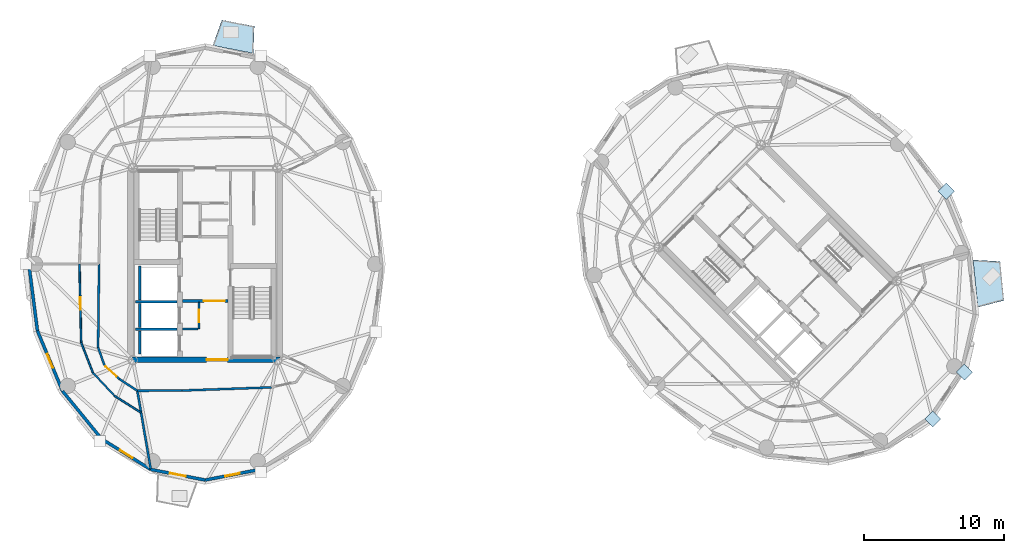
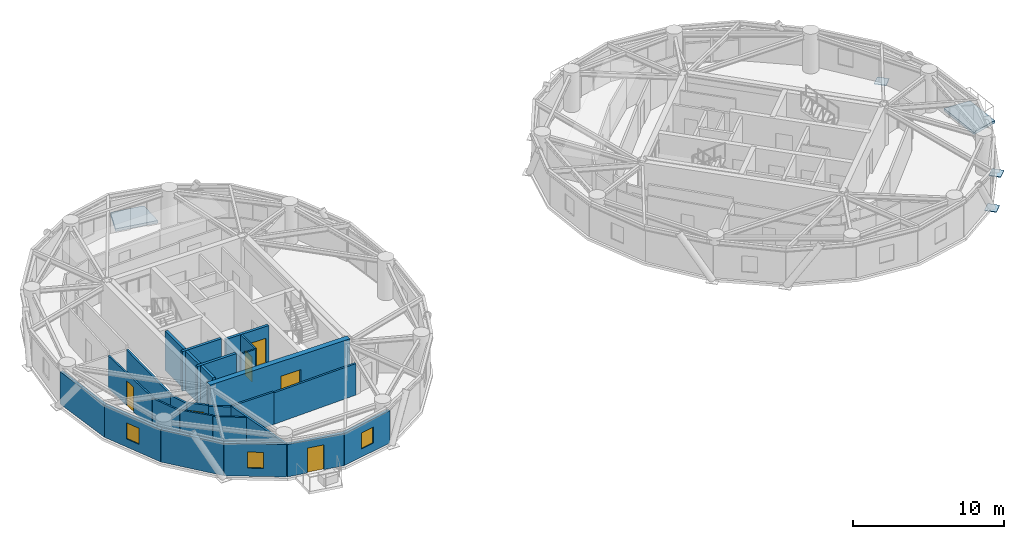
# One storey, part 7 of 16: 26 walls, 6 doors, 3 plates, 3 windows, 2 slabs, 9 openings.
"""IFC4 building model written with IfcOpenShell, lengths in metres."""

from ifc_helpers import new_model, si_unit, direction, frame, frame_2d, origin, origin_2d, place, context, subcontext, project, spatial, polyline, rectangle, outline, extrude, source, transform, mapped, material, layer, layer_set, type_object, element, fill, save


model = new_model("IFC4")

# Units and contexts
model_context = context("Model", 3, precision=1e-05, world=origin(), true_north=direction((0.0, 1.0)))
body_context = subcontext(model_context, "Body", "Model", "MODEL_VIEW")
ifc_project = project(units=[si_unit("LENGTHUNIT", "METRE"), si_unit("AREAUNIT", "SQUARE_METRE"), si_unit("VOLUMEUNIT", "CUBIC_METRE"), si_unit("PLANEANGLEUNIT", "RADIAN"), si_unit("MASSUNIT", "GRAM", prefix="KILO")], contexts=[model_context])

# Site, building, storey
site_placement = place(None, origin())
site = spatial("IfcSite", under=ifc_project, at=site_placement, CompositionType="ELEMENT")
building_placement = place(site_placement, origin())
building = spatial("IfcBuilding", under=site, at=building_placement, Name="Cununo Teusaquillo Station Towers", CompositionType="ELEMENT")
storey_placement = place(building_placement, frame((0.0, 0.0, 226.050048828125)))
storey = spatial("IfcBuildingStorey", under=building, at=storey_placement, Name="L72", CompositionType="ELEMENT", Elevation=226.050048828125)

# Slabs
ifc_material_1 = material(Name="Concrete C50/60", Category="concrete")
ifc_layer_1 = layer(ifc_material_1, 0.2099609375)
ifc_layer_set_1 = layer_set([ifc_layer_1], Name="Concrete C50/60")
slab_type = type_object("IfcSlabType", Name="SLB-BAL-210", PredefinedType="FLOOR", material=ifc_layer_set_1)
slab_1_placement = place(storey_placement, frame((0.0, 0.0, -0.2099609375)))
element("IfcSlab", 1, at=slab_1_placement, inside=storey, type_object=slab_type, Name="L72 Tower A Sky Garden Terrace Slab 1", PredefinedType="FLOOR", context=body_context, shape_type="SweptSolid", body=[
    extrude(outline(polyline([(19.9501953125, 39.58837890625), (17.041015625, 40.150634765625), (17.69873046875, 41.973876953125), (20.01904296875, 41.525390625), (19.9501953125, 39.58837890625)])), origin(), (0.0, 0.0, 1.0), 0.2099609375),
])
slab_2_placement = place(storey_placement, frame((0.0, 0.0, -0.2099609375)))
element("IfcSlab", 2, at=slab_2_placement, inside=storey, type_object=slab_type, Name="L72 Tower B Tree Balcony Slab 2", PredefinedType="FLOOR", context=body_context, shape_type="SweptSolid", body=[
    extrude(outline(polyline([(71.826416015625, 21.403564453125), (71.490478515625, 24.79248046875), (73.42578125, 24.6826171875), (73.702392578125, 21.89111328125), (71.826416015625, 21.403564453125)])), origin(), (0.0, 0.0, 1.0), 0.2099609375),
])

# Plates
ifc_material_2 = material(Name="Steel ASTM A572 Grade 50", Category="steel")
ifc_layer_2 = layer(ifc_material_2, 0.044921875)
ifc_layer_set_2 = layer_set([ifc_layer_2], Name="Steel ASTM A572 Grade 50")
plate_type = type_object("IfcPlateType", Name="PLT-NODE-DN2", PredefinedType="USERDEFINED", material=ifc_layer_set_2)
shared_shape_1 = source(origin(), body_context, "Body", "SweptSolid", [
    extrude(rectangle(XDim=0.820068359375, YDim=0.820068359375, at=origin_2d()), origin(), (0.0, 0.0, 1.0), 0.044921875),
])
for number, where, z_axis, x_axis, name in (
    (3, (68.594482421875, 13.405517578125, -0.16259765625), (0.0, 0.0, 1.0), (0.707106781187, 0.707106781187, 0.0), "L72 Tower B Diagrid Node Assembly C14"),
    (4, (70.859375, 16.75634765625, -0.16259765625), (0.0, 0.0, 1.0), (0.707106781187, 0.707106781187, 0.0), "L72 Tower B Diagrid Node Assembly C16"),
    (5, (69.570068359375, 29.713134765625, -0.16259765625), (0.0, 0.0, 1.0), (0.707106781187, 0.707106781187, 0.0), "L72 Tower B Diagrid Node Assembly C18"),
):
    element("IfcPlate", number, at=place(storey_placement, frame(where, z_axis=z_axis, x_axis=x_axis)), inside=storey, type_object=plate_type, Name=name, ObjectType="GUSSET PLATE", PredefinedType="USERDEFINED", context=body_context, shape_type="MappedRepresentation", body=[
        mapped(shared_shape_1, transform((0.0, 0.0, 0.0), x_axis=(1.0, 0.0, 0.0), y_axis=(0.0, 1.0, 0.0), z_axis=(0.0, 0.0, 1.0), scale=1.0)),
    ])

# Walls
ifc_material_3 = material(Name="Concrete C50/60", Category="concrete")
ifc_layer_3 = layer(ifc_material_3, 0.199951171875)
ifc_layer_set_3 = layer_set([ifc_layer_3], Name="Concrete C50/60")
wall_type_1 = type_object("IfcWallType", Name="WL-CORE-200", PredefinedType="SHEAR", material=ifc_layer_set_3)
wall_1_placement = place(storey_placement, frame((11.52001953125, 21.800048828125, 0.0), z_axis=(0.0, 0.0, 1.0), x_axis=(1.0, 0.0, 0.0)))
element("IfcWall", 6, at=wall_1_placement, inside=storey, type_object=wall_type_1, Name="L72 Tower A Firefighting Lift Shaft South Shear Wall", PredefinedType="SHEAR", context=body_context, shape_type="SweptSolid", body=[
    extrude(rectangle(XDim=2.969970703125, YDim=0.199951171875, at=frame_2d((1.48486328125, 0.0))), origin(), (0.0, 0.0, 1.0), 3.199951171875),
])
wall_2_placement = place(storey_placement, frame((11.820068359375, 21.919921875, 0.0), z_axis=(0.0, 0.0, 1.0), x_axis=(0.0, 1.0, 0.0)))
element("IfcWall", 7, at=wall_2_placement, inside=storey, type_object=wall_type_1, Name="L72 Tower A Firefighting Lift Shaft Rear Shear Wall", PredefinedType="SHEAR", context=body_context, shape_type="SweptSolid", body=[
    extrude(rectangle(XDim=2.440185546875, YDim=0.199951171875, at=frame_2d((1.22021484375, 0.0))), origin(), (0.0, 0.0, 1.0), 3.199951171875),
])
wall_3_placement = place(storey_placement, frame((11.52001953125, 19.824951171875, 0.0), z_axis=(0.0, 0.0, 1.0), x_axis=(1.0, 0.0, 0.0)))
element("IfcWall", 8, at=wall_3_placement, inside=storey, type_object=wall_type_1, Name="L72 Tower A High-Rise Lift Hoistway Divider Shear Wall", PredefinedType="SHEAR", context=body_context, shape_type="SweptSolid", body=[
    extrude(rectangle(XDim=2.969970703125, YDim=0.199951171875, at=frame_2d((1.48486328125, 0.0))), origin(), (0.0, 0.0, 1.0), 3.199951171875),
])
wall_4_placement = place(storey_placement, frame((11.820068359375, 19.945068359375, 0.0), z_axis=(0.0, 0.0, 1.0), x_axis=(0.0, 1.0, 0.0)))
element("IfcWall", 9, at=wall_4_placement, inside=storey, type_object=wall_type_1, Name="L72 Tower A High-Rise Lift 2 Shaft Rear Shear Wall", PredefinedType="SHEAR", context=body_context, shape_type="SweptSolid", body=[
    extrude(rectangle(XDim=1.73486328125, YDim=0.199951171875, at=frame_2d((0.867431640625, 0.0))), origin(), (0.0, 0.0, 1.0), 3.199951171875),
])
wall_5_placement = place(storey_placement, frame((11.820068359375, 18.070068359375, 0.0), z_axis=(0.0, 0.0, 1.0), x_axis=(0.0, 1.0, 0.0)))
element("IfcWall", 10, at=wall_5_placement, inside=storey, type_object=wall_type_1, Name="L72 Tower A High-Rise Lift 1 Shaft Rear Shear Wall", PredefinedType="SHEAR", context=body_context, shape_type="SweptSolid", body=[
    extrude(rectangle(XDim=1.635009765625, YDim=0.199951171875, at=frame_2d((0.8173828125, 0.0))), origin(), (0.0, 0.0, 1.0), 3.199951171875),
])

# Wall, opening, door
ifc_material_4 = material(Name="Concrete C50/60", Category="concrete")
ifc_layer_4 = layer(ifc_material_4, 0.39990234375)
ifc_layer_set_4 = layer_set([ifc_layer_4], Name="Concrete C50/60")
wall_type_2 = type_object("IfcWallType", Name="WL-CORE-400", PredefinedType="SHEAR", material=ifc_layer_set_4)
wall_6_placement = place(storey_placement, frame((11.14990234375, 17.64990234375, 0.0), z_axis=(0.0, 0.0, 1.0), x_axis=(1.0, 0.0, 0.0)))
wall_6 = element("IfcWall", 11, at=wall_6_placement, inside=storey, type_object=wall_type_2, Name="L72 Tower A Core Shear Wall S", PredefinedType="SHEAR", context=body_context, shape_type="SweptSolid", body=[
    extrude(rectangle(XDim=10.7001953125, YDim=0.39990234375, at=frame_2d((5.35009765625, 0.0))), origin(), (0.0, 0.0, 1.0), 3.199951171875),
])
shared_shape_2 = source(origin(), body_context, "Body", "SweptSolid", [
    extrude(rectangle(XDim=1.5, YDim=2.02001953125, at=frame_2d((0.75, 1.010009765625))), frame((0.0, 0.2099609375, 0.0), z_axis=(0.0, -1.0, 0.0), x_axis=(1.0, 0.0, 0.0)), (0.0, 0.0, 1.0), 0.419921875),
])
opening_1_placement = place(wall_6_placement, frame((5.449951171875, 0.0, 0.0)))
opening_1 = element("IfcOpeningElement", 12, at=opening_1_placement, cuts=wall_6, Name="Opening D-LB1", PredefinedType="OPENING", context=body_context, shape_type="MappedRepresentation", body=[
    mapped(shared_shape_2, transform((0.0, 0.0, 0.0), x_axis=(1.0, 0.0, 0.0), y_axis=(0.0, 1.0, 0.0), z_axis=(0.0, 0.0, 1.0), scale=1.0)),
])
ifc_material_5 = material(Name="Galvanised fire-rated hollow steel door assembly", Category="steel")
door_type_1 = type_object("IfcDoorType", Name="DR-LOBBY-1500", OperationType="DOUBLE_DOOR_SINGLE_SWING", PredefinedType="DOOR", material=ifc_material_5)
shared_shape_3 = source(origin(), body_context, "Body", "SweptSolid", [
    extrude(rectangle(XDim=1.5, YDim=2.02001953125, at=frame_2d((0.75, 1.010009765625))), frame((0.0, 0.02490234375, 0.0), z_axis=(0.0, -1.0, 0.0), x_axis=(1.0, 0.0, 0.0)), (0.0, 0.0, 1.0), 0.050048828125),
])
door_1_placement = place(opening_1_placement, origin())
door_1 = element("IfcDoor", 13, at=door_1_placement, inside=storey, type_object=door_type_1, Name="L72 Tower A South Core Lift Lobby Door", OperationType="DOUBLE_DOOR_SINGLE_SWING", OverallHeight=2.02001953125, OverallWidth=1.5, PredefinedType="DOOR", context=body_context, shape_type="MappedRepresentation", body=[
    mapped(shared_shape_3, transform((0.0, 0.0, 0.0), x_axis=(1.0, 0.0, 0.0), y_axis=(0.0, 1.0, 0.0), z_axis=(0.0, 0.0, 1.0), scale=1.0)),
])
fill(opening_1, door_1)

# Wall
ifc_material_6 = material(Name="Precast concrete C40/50", Category="concrete")
ifc_layer_5 = layer(ifc_material_6, 0.219970703125)
ifc_layer_set_5 = layer_set([ifc_layer_5], Name="Precast concrete C40/50")
wall_type_3 = type_object("IfcWallType", Name="WL-EXT-220", PredefinedType="SOLIDWALL", material=ifc_layer_set_5)
wall_7_placement = place(storey_placement, frame((4.48828125, 19.719482421875, 0.0), z_axis=(0.0, 0.0, 1.0), x_axis=(-0.128241318541, 0.991742993027, 0.0)))
element("IfcWall", 14, at=wall_7_placement, inside=storey, type_object=wall_type_3, Name="L72 Tower A Exterior Facade Wall C10", PredefinedType="SOLIDWALL", context=body_context, shape_type="SweptSolid", body=[
    extrude(rectangle(XDim=4.8203125, YDim=0.219970703125, at=frame_2d((2.41015625, 0.0))), origin(), (0.0, 0.0, 1.0), 2.612060546875),
])

# Wall, opening, window
wall_8_placement = place(storey_placement, frame((6.281982421875, 15.406982421875, 0.0), z_axis=(0.0, 0.0, 1.0), x_axis=(-0.384036305194, 0.923317993052, 0.0)))
wall_8 = element("IfcWall", 15, at=wall_8_placement, inside=storey, type_object=wall_type_3, Name="L72 Tower A Exterior Facade Wall C11", PredefinedType="SOLIDWALL", context=body_context, shape_type="SweptSolid", body=[
    extrude(rectangle(XDim=4.670654296875, YDim=0.219970703125, at=frame_2d((2.33544921875, 0.0))), origin(), (0.0, 0.0, 1.0), 2.612060546875),
])
shared_shape_4 = source(origin(), body_context, "Body", "SweptSolid", [
    extrude(rectangle(XDim=1.050048828125, YDim=1.300048828125, at=frame_2d((0.52490234375, 0.64990234375))), frame((0.0, 0.119873046875, 0.0), z_axis=(0.0, -1.0, 0.0), x_axis=(1.0, 0.0, 0.0)), (0.0, 0.0, 1.0), 0.239990234375),
])
opening_2_placement = place(wall_8_placement, frame((1.81005859375, 0.0, 0.64990234375)))
opening_2 = element("IfcOpeningElement", 16, at=opening_2_placement, cuts=wall_8, Name="Opening WN-04", PredefinedType="OPENING", context=body_context, shape_type="MappedRepresentation", body=[
    mapped(shared_shape_4, transform((0.0, 0.0, 0.0), x_axis=(1.0, 0.0, 0.0), y_axis=(0.0, 1.0, 0.0), z_axis=(0.0, 0.0, 1.0), scale=1.0)),
])
ifc_material_7 = material(Name="Operable acoustic tinted low-E double glazing", Category="glass")
window_type = type_object("IfcWindowType", Name="WIN-BAL-1050", PartitioningType="SINGLE_PANEL", PredefinedType="WINDOW", material=ifc_material_7)
shared_shape_5 = source(origin(), body_context, "Body", "SweptSolid", [
    extrude(rectangle(XDim=1.050048828125, YDim=1.300048828125, at=frame_2d((0.52490234375, 0.64990234375))), frame((0.0, 0.030029296875, 0.0), z_axis=(0.0, -1.0, 0.0), x_axis=(1.0, 0.0, 0.0)), (0.0, 0.0, 1.0), 0.06005859375),
])
window_1_placement = place(opening_2_placement, origin())
window_1 = element("IfcWindow", 17, at=window_1_placement, inside=storey, type_object=window_type, Name="L72 Tower A Facade Window C11", OverallHeight=1.300048828125, OverallWidth=1.050048828125, PartitioningType="SINGLE_PANEL", PredefinedType="WINDOW", context=body_context, shape_type="MappedRepresentation", body=[
    mapped(shared_shape_5, transform((0.0, 0.0, 0.0), x_axis=(1.0, 0.0, 0.0), y_axis=(0.0, 1.0, 0.0), z_axis=(0.0, 0.0, 1.0), scale=1.0)),
])
fill(opening_2, window_1)

# Wall
wall_9_placement = place(storey_placement, frame((9.076416015625, 11.984619140625, 0.0), z_axis=(0.0, 0.0, 1.0), x_axis=(-0.632467166636, 0.774587169483, 0.0)))
element("IfcWall", 18, at=wall_9_placement, inside=storey, type_object=wall_type_3, Name="L72 Tower A Exterior Facade Wall C12", PredefinedType="SOLIDWALL", context=body_context, shape_type="SweptSolid", body=[
    extrude(rectangle(XDim=4.418212890625, YDim=0.219970703125, at=frame_2d((2.208984375, 0.0))), origin(), (0.0, 0.0, 1.0), 2.612060546875),
])

# Wall, opening, window
wall_10_placement = place(storey_placement, frame((12.59716796875, 9.787109375, 0.0), z_axis=(0.0, 0.0, 1.0), x_axis=(-0.848318713376, 0.529485939886, 0.0)))
wall_10 = element("IfcWall", 19, at=wall_10_placement, inside=storey, type_object=wall_type_3, Name="L72 Tower A Exterior Facade Wall C13", PredefinedType="SOLIDWALL", context=body_context, shape_type="SweptSolid", body=[
    extrude(rectangle(XDim=4.150390625, YDim=0.219970703125, at=frame_2d((2.0751953125, 0.0))), origin(), (0.0, 0.0, 1.0), 2.612060546875),
])
opening_3_placement = place(wall_10_placement, frame((1.550048828125, 0.0, 0.64990234375)))
opening_3 = element("IfcOpeningElement", 20, at=opening_3_placement, cuts=wall_10, Name="Opening WN-04", PredefinedType="OPENING", context=body_context, shape_type="MappedRepresentation", body=[
    mapped(shared_shape_4, transform((0.0, 0.0, 0.0), x_axis=(1.0, 0.0, 0.0), y_axis=(0.0, 1.0, 0.0), z_axis=(0.0, 0.0, 1.0), scale=1.0)),
])
window_2_placement = place(opening_3_placement, origin())
window_2 = element("IfcWindow", 21, at=window_2_placement, inside=storey, type_object=window_type, Name="L72 Tower A Facade Window C13", OverallHeight=1.300048828125, OverallWidth=1.050048828125, PartitioningType="SINGLE_PANEL", PredefinedType="WINDOW", context=body_context, shape_type="MappedRepresentation", body=[
    mapped(shared_shape_5, transform((0.0, 0.0, 0.0), x_axis=(1.0, 0.0, 0.0), y_axis=(0.0, 1.0, 0.0), z_axis=(0.0, 0.0, 1.0), scale=1.0)),
])
fill(opening_3, window_2)

# Wall, opening, door
wall_11_placement = place(storey_placement, frame((16.5, 9.030029296875, 0.0), z_axis=(0.0, 0.0, 1.0), x_axis=(-0.981700307484, 0.190432419211, 0.0)))
wall_11 = element("IfcWall", 22, at=wall_11_placement, inside=storey, type_object=wall_type_3, Name="L72 Tower A Exterior Facade Wall C14", PredefinedType="SOLIDWALL", context=body_context, shape_type="SweptSolid", body=[
    extrude(rectangle(XDim=3.9755859375, YDim=0.219970703125, at=frame_2d((1.98779296875, 0.0))), origin(), (0.0, 0.0, 1.0), 2.612060546875),
])
shared_shape_6 = source(origin(), body_context, "Body", "SweptSolid", [
    extrude(rectangle(XDim=1.14990234375, YDim=2.0048828125, at=frame_2d((0.574951171875, 1.00244140625))), frame((0.0, 0.119873046875, 0.0), z_axis=(0.0, -1.0, 0.0), x_axis=(1.0, 0.0, 0.0)), (0.0, 0.0, 1.0), 0.239990234375),
])
opening_4_placement = place(wall_11_placement, frame((1.4130859375, 0.0, 0.0)))
opening_4 = element("IfcOpeningElement", 23, at=opening_4_placement, cuts=wall_11, Name="Opening ED-03", PredefinedType="OPENING", context=body_context, shape_type="MappedRepresentation", body=[
    mapped(shared_shape_6, transform((0.0, 0.0, 0.0), x_axis=(1.0, 0.0, 0.0), y_axis=(0.0, 1.0, 0.0), z_axis=(0.0, 0.0, 1.0), scale=1.0)),
])
ifc_material_8 = material(Name="Anodised dark bronze aluminium EN AW-6063-T6", Category="aluminium")
door_type_2 = type_object("IfcDoorType", Name="DR-EXT-BAL", OperationType="NOTDEFINED", PredefinedType="DOOR", material=ifc_material_8)
shared_shape_7 = source(origin(), body_context, "Body", "SweptSolid", [
    extrude(rectangle(XDim=1.14990234375, YDim=2.0048828125, at=frame_2d((0.574951171875, 1.00244140625))), frame((0.0, 0.02490234375, 0.0), z_axis=(0.0, -1.0, 0.0), x_axis=(1.0, 0.0, 0.0)), (0.0, 0.0, 1.0), 0.050048828125),
])
door_2_placement = place(opening_4_placement, origin())
door_2 = element("IfcDoor", 24, at=door_2_placement, inside=storey, type_object=door_type_2, Name="L72 Tower A Tree Balcony Door C14", OperationType="SINGLE_SWING_LEFT", OverallHeight=2.0048828125, OverallWidth=1.14990234375, PredefinedType="DOOR", context=body_context, shape_type="MappedRepresentation", body=[
    mapped(shared_shape_7, transform((0.0, 0.0, 0.0), x_axis=(1.0, 0.0, 0.0), y_axis=(0.0, 1.0, 0.0), z_axis=(0.0, 0.0, 1.0), scale=1.0)),
])
fill(opening_4, door_2)

# Wall, opening, window
wall_12_placement = place(storey_placement, frame((20.40283203125, 9.787109375, 0.0), z_axis=(0.0, 0.0, 1.0), x_axis=(-0.981700307484, -0.190432419211, 0.0)))
wall_12 = element("IfcWall", 25, at=wall_12_placement, inside=storey, type_object=wall_type_3, Name="L72 Tower A Exterior Facade Wall C15", PredefinedType="SOLIDWALL", context=body_context, shape_type="SweptSolid", body=[
    extrude(rectangle(XDim=3.9755859375, YDim=0.219970703125, at=frame_2d((1.98779296875, 0.0))), origin(), (0.0, 0.0, 1.0), 2.612060546875),
])
opening_5_placement = place(wall_12_placement, frame((1.462890625, 0.0, 0.64990234375)))
opening_5 = element("IfcOpeningElement", 26, at=opening_5_placement, cuts=wall_12, Name="Opening WN-04", PredefinedType="OPENING", context=body_context, shape_type="MappedRepresentation", body=[
    mapped(shared_shape_4, transform((0.0, 0.0, 0.0), x_axis=(1.0, 0.0, 0.0), y_axis=(0.0, 1.0, 0.0), z_axis=(0.0, 0.0, 1.0), scale=1.0)),
])
window_3_placement = place(opening_5_placement, origin())
window_3 = element("IfcWindow", 27, at=window_3_placement, inside=storey, type_object=window_type, Name="L72 Tower A Facade Window C15", OverallHeight=1.300048828125, OverallWidth=1.050048828125, PartitioningType="SINGLE_PANEL", PredefinedType="WINDOW", context=body_context, shape_type="MappedRepresentation", body=[
    mapped(shared_shape_5, transform((0.0, 0.0, 0.0), x_axis=(1.0, 0.0, 0.0), y_axis=(0.0, 1.0, 0.0), z_axis=(0.0, 0.0, 1.0), scale=1.0)),
])
fill(opening_5, window_3)

# Wall, opening, door
ifc_material_9 = material(Name="Fire-rated gypsum plasterboard partition assembly", Category="gypsum")
ifc_layer_6 = layer(ifc_material_9, 0.125)
ifc_layer_set_6 = layer_set([ifc_layer_6], Name="Fire-rated gypsum plasterboard partition assembly")
wall_type_4 = type_object("IfcWallType", Name="WL-PART-125", PredefinedType="PARTITIONING", material=ifc_layer_set_6)
wall_13_placement = place(storey_placement, frame((16.050048828125, 19.8798828125, 0.0), z_axis=(0.0, 0.0, 1.0), x_axis=(0.0, 1.0, 0.0)))
wall_13 = element("IfcWall", 28, at=wall_13_placement, inside=storey, type_object=wall_type_4, Name="L72 Tower A North-West Lobby Store East Wall", PredefinedType="PARTITIONING", context=body_context, shape_type="SweptSolid", body=[
    extrude(rectangle(XDim=1.8701171875, YDim=0.125, at=frame_2d((0.93505859375, 0.0))), origin(), (0.0, 0.0, 1.0), 2.974853515625),
])
shared_shape_8 = source(origin(), body_context, "Body", "SweptSolid", [
    extrude(rectangle(XDim=0.89990234375, YDim=2.0048828125, at=frame_2d((0.449951171875, 1.00244140625))), frame((0.0, 0.072509765625, 0.0), z_axis=(0.0, -1.0, 0.0), x_axis=(1.0, 0.0, 0.0)), (0.0, 0.0, 1.0), 0.14501953125),
])
opening_6_placement = place(wall_13_placement, frame((0.449951171875, 0.0, 0.0)))
opening_6 = element("IfcOpeningElement", 29, at=opening_6_placement, cuts=wall_13, Name="Opening D-SR1", PredefinedType="OPENING", context=body_context, shape_type="MappedRepresentation", body=[
    mapped(shared_shape_8, transform((0.0, 0.0, 0.0), x_axis=(1.0, 0.0, 0.0), y_axis=(0.0, 1.0, 0.0), z_axis=(0.0, 0.0, 1.0), scale=1.0)),
])
ifc_material_10 = material(Name="Galvanised fire-rated hollow steel door assembly", Category="steel")
door_type_3 = type_object("IfcDoorType", Name="DR-STORE-900", OperationType="NOTDEFINED", PredefinedType="DOOR", material=ifc_material_10)
shared_shape_9 = source(origin(), body_context, "Body", "SweptSolid", [
    extrude(rectangle(XDim=0.89990234375, YDim=2.0048828125, at=frame_2d((0.449951171875, 1.00244140625))), frame((0.0, 0.02490234375, 0.0), z_axis=(0.0, -1.0, 0.0), x_axis=(1.0, 0.0, 0.0)), (0.0, 0.0, 1.0), 0.050048828125),
])
door_3_placement = place(opening_6_placement, origin())
door_3 = element("IfcDoor", 30, at=door_3_placement, inside=storey, type_object=door_type_3, Name="L72 Tower A South Lobby Data Store Door", OperationType="SINGLE_SWING_RIGHT", OverallHeight=2.0048828125, OverallWidth=0.89990234375, PredefinedType="DOOR", context=body_context, shape_type="MappedRepresentation", body=[
    mapped(shared_shape_9, transform((0.0, 0.0, 0.0), x_axis=(1.0, 0.0, 0.0), y_axis=(0.0, 1.0, 0.0), z_axis=(0.0, 0.0, 1.0), scale=1.0)),
])
fill(opening_6, door_3)

# Wall
wall_14_placement = place(storey_placement, frame((14.8798828125, 19.85009765625, 0.0), z_axis=(0.0, 0.0, 1.0), x_axis=(1.0, 0.0, 0.0)))
element("IfcWall", 31, at=wall_14_placement, inside=storey, type_object=wall_type_4, Name="L72 Tower A North-West Lobby Store South Wall", PredefinedType="PARTITIONING", context=body_context, shape_type="SweptSolid", body=[
    extrude(rectangle(XDim=1.10009765625, YDim=0.125, at=frame_2d((0.550048828125, 0.0))), origin(), (0.0, 0.0, 1.0), 2.974853515625),
])

# Wall, opening, door
wall_15_placement = place(storey_placement, frame((7.497314453125, 24.5, 0.0), z_axis=(0.0, 0.0, 1.0), x_axis=(0.021927972859, -0.999759553096, 0.0)))
wall_15 = element("IfcWall", 32, at=wall_15_placement, inside=storey, type_object=wall_type_4, Name="L72 Tower A Sabana Sunset Cocktail Lounge Concentric Partition Wall C10", PredefinedType="PARTITIONING", context=body_context, shape_type="SweptSolid", body=[
    extrude(rectangle(XDim=5.6337890625, YDim=0.125, at=frame_2d((2.81689453125, 0.0))), origin(), (0.0, 0.0, 1.0), 2.612060546875),
])
opening_7_placement = place(wall_15_placement, frame((2.366943359375, 0.0, 0.0)))
opening_7 = element("IfcOpeningElement", 33, at=opening_7_placement, cuts=wall_15, Name="Opening D-IN1", PredefinedType="OPENING", context=body_context, shape_type="MappedRepresentation", body=[
    mapped(shared_shape_8, transform((0.0, 0.0, 0.0), x_axis=(1.0, 0.0, 0.0), y_axis=(0.0, 1.0, 0.0), z_axis=(0.0, 0.0, 1.0), scale=1.0)),
])
ifc_material_11 = material(Name="Acoustic solid-core hardwood leaf assembly", Category="wood")
door_type_4 = type_object("IfcDoorType", Name="DR-INT-900", OperationType="NOTDEFINED", PredefinedType="DOOR", material=ifc_material_11)
door_4_placement = place(opening_7_placement, origin())
door_4 = element("IfcDoor", 34, at=door_4_placement, inside=storey, type_object=door_type_4, Name="L72 Tower A Sabana Sunset Cocktail Lounge Connecting Door", OperationType="SINGLE_SWING_RIGHT", OverallHeight=2.0048828125, OverallWidth=0.89990234375, PredefinedType="DOOR", context=body_context, shape_type="MappedRepresentation", body=[
    mapped(shared_shape_9, transform((0.0, 0.0, 0.0), x_axis=(1.0, 0.0, 0.0), y_axis=(0.0, 1.0, 0.0), z_axis=(0.0, 0.0, 1.0), scale=1.0)),
])
fill(opening_7, door_4)

# Walls
wall_16_placement = place(storey_placement, frame((7.620849609375, 18.86767578125, 0.0), z_axis=(0.0, 0.0, 1.0), x_axis=(0.361712646649, -0.93228963378, 0.0)))
element("IfcWall", 35, at=wall_16_placement, inside=storey, type_object=wall_type_4, Name="L72 Tower A Sabana Sunset Cocktail Lounge Concentric Partition Wall C11", PredefinedType="PARTITIONING", context=body_context, shape_type="SweptSolid", body=[
    extrude(rectangle(XDim=2.296875, YDim=0.125, at=frame_2d((1.1484375, 0.0))), origin(), (0.0, 0.0, 1.0), 2.544921875),
])
wall_17_placement = place(storey_placement, frame((8.45166015625, 16.726318359375, 0.0), z_axis=(0.0, 0.0, 1.0), x_axis=(0.68299988274, -0.730418482911, 0.0)))
element("IfcWall", 36, at=wall_17_placement, inside=storey, type_object=wall_type_4, Name="L72 Tower A Sabana Sunset Cocktail Lounge Concentric Partition Wall C12", PredefinedType="PARTITIONING", context=body_context, shape_type="SweptSolid", body=[
    extrude(rectangle(XDim=2.2705078125, YDim=0.125, at=frame_2d((1.13525390625, 0.0))), origin(), (0.0, 0.0, 1.0), 2.612060546875),
])
wall_18_placement = place(storey_placement, frame((10.00244140625, 15.06787109375, 0.0), z_axis=(0.0, 0.0, 1.0), x_axis=(0.843381706724, -0.537314895349, 0.0)))
element("IfcWall", 37, at=wall_18_placement, inside=storey, type_object=wall_type_4, Name="L72 Tower A Sabana Sunset Cocktail Lounge Concentric Partition Wall C13", PredefinedType="PARTITIONING", context=body_context, shape_type="SweptSolid", body=[
    extrude(rectangle(XDim=2.2646484375, YDim=0.125, at=frame_2d((1.13232421875, 0.0))), origin(), (0.0, 0.0, 1.0), 2.544921875),
])
ifc_material_12 = material(Name="Fire-rated gypsum plasterboard partition assembly", Category="gypsum")
ifc_layer_7 = layer(ifc_material_12, 0.14990234375)
ifc_layer_set_7 = layer_set([ifc_layer_7], Name="Fire-rated gypsum plasterboard partition assembly")
wall_type_5 = type_object("IfcWallType", Name="WL-PART-150", PredefinedType="PARTITIONING", material=ifc_layer_set_7)
wall_19_placement = place(storey_placement, frame((8.89990234375, 24.5, 0.0), z_axis=(0.0, 0.0, 1.0), x_axis=(-0.011416369353, -0.999934831132, 0.0)))
element("IfcWall", 38, at=wall_19_placement, inside=storey, type_object=wall_type_5, Name="L72 Tower A Corridor Ring Wall C10", PredefinedType="PARTITIONING", context=body_context, shape_type="SweptSolid", body=[
    extrude(rectangle(XDim=5.966552734375, YDim=0.14990234375, at=frame_2d((2.9833984375, 0.0))), origin(), (0.0, 0.0, 1.0), 2.612060546875),
])
wall_20_placement = place(storey_placement, frame((8.831787109375, 18.533935546875, 0.0), z_axis=(0.0, 0.0, 1.0), x_axis=(0.332031819657, -0.943268186008, 0.0)))
element("IfcWall", 39, at=wall_20_placement, inside=storey, type_object=wall_type_5, Name="L72 Tower A Corridor Ring Wall C11", PredefinedType="PARTITIONING", context=body_context, shape_type="SweptSolid", body=[
    extrude(rectangle(XDim=1.377197265625, YDim=0.14990234375, at=frame_2d((0.6884765625, 0.0))), origin(), (0.0, 0.0, 1.0), 2.544921875),
])

# Wall, opening, door
wall_21_placement = place(storey_placement, frame((9.2890625, 17.23486328125, 0.0), z_axis=(0.0, 0.0, 1.0), x_axis=(0.739015164946, -0.673688790155, 0.0)))
wall_21 = element("IfcWall", 40, at=wall_21_placement, inside=storey, type_object=wall_type_5, Name="L72 Tower A Corridor Ring Wall C12", PredefinedType="PARTITIONING", context=body_context, shape_type="SweptSolid", body=[
    extrude(rectangle(XDim=1.4462890625, YDim=0.14990234375, at=frame_2d((0.72314453125, 0.0))), origin(), (0.0, 0.0, 1.0), 2.612060546875),
])
shared_shape_10 = source(origin(), body_context, "Body", "SweptSolid", [
    extrude(rectangle(XDim=1.050048828125, YDim=2.014892578125, at=frame_2d((0.52490234375, 1.00732421875))), frame((0.0, 0.0849609375, 0.0), z_axis=(0.0, -1.0, 0.0), x_axis=(1.0, 0.0, 0.0)), (0.0, 0.0, 1.0), 0.169921875),
])
opening_8_placement = place(wall_21_placement, frame((0.1201171875, 0.0, 0.0)))
opening_8 = element("IfcOpeningElement", 41, at=opening_8_placement, cuts=wall_21, Name="Opening D-SU1", PredefinedType="OPENING", context=body_context, shape_type="MappedRepresentation", body=[
    mapped(shared_shape_10, transform((0.0, 0.0, 0.0), x_axis=(1.0, 0.0, 0.0), y_axis=(0.0, 1.0, 0.0), z_axis=(0.0, 0.0, 1.0), scale=1.0)),
])
ifc_material_13 = material(Name="Acoustic solid-core hardwood leaf assembly", Category="wood")
door_type_5 = type_object("IfcDoorType", Name="DR-SUITE-1050", OperationType="NOTDEFINED", PredefinedType="DOOR", material=ifc_material_13)
shared_shape_11 = source(origin(), body_context, "Body", "SweptSolid", [
    extrude(rectangle(XDim=1.050048828125, YDim=2.014892578125, at=frame_2d((0.52490234375, 1.00732421875))), frame((0.0, 0.02490234375, 0.0), z_axis=(0.0, -1.0, 0.0), x_axis=(1.0, 0.0, 0.0)), (0.0, 0.0, 1.0), 0.050048828125),
])
door_5_placement = place(opening_8_placement, origin())
door_5 = element("IfcDoor", 42, at=door_5_placement, inside=storey, type_object=door_type_5, Name="L72 Tower A Sabana Sunset Cocktail Lounge Entrance Door", OperationType="SINGLE_SWING_LEFT", OverallHeight=2.014892578125, OverallWidth=1.050048828125, PredefinedType="DOOR", context=body_context, shape_type="MappedRepresentation", body=[
    mapped(shared_shape_11, transform((0.0, 0.0, 0.0), x_axis=(1.0, 0.0, 0.0), y_axis=(0.0, 1.0, 0.0), z_axis=(0.0, 0.0, 1.0), scale=1.0)),
])
fill(opening_8, door_5)

# Walls
wall_22_placement = place(storey_placement, frame((10.35791015625, 16.260498046875, 0.0), z_axis=(0.0, 0.0, 1.0), x_axis=(0.838265397059, -0.545262435983, 0.0)))
element("IfcWall", 43, at=wall_22_placement, inside=storey, type_object=wall_type_5, Name="L72 Tower A Corridor Ring Wall C13", PredefinedType="PARTITIONING", context=body_context, shape_type="SweptSolid", body=[
    extrude(rectangle(XDim=1.533935546875, YDim=0.14990234375, at=frame_2d((0.76708984375, 0.0))), origin(), (0.0, 0.0, 1.0), 2.544921875),
])
wall_23_placement = place(storey_placement, frame((11.643798828125, 15.424072265625, 0.0), z_axis=(0.0, 0.0, 1.0), x_axis=(0.999986552511, 0.005186019339, 0.0)))
element("IfcWall", 44, at=wall_23_placement, inside=storey, type_object=wall_type_5, Name="L72 Tower A Corridor Ring Wall C14", PredefinedType="PARTITIONING", context=body_context, shape_type="SweptSolid", body=[
    extrude(rectangle(XDim=3.201171875, YDim=0.14990234375, at=frame_2d((1.6005859375, 0.0))), origin(), (0.0, 0.0, 1.0), 2.612060546875),
])
wall_24_placement = place(storey_placement, frame((14.844970703125, 15.440673828125, 0.0), z_axis=(0.0, 0.0, 1.0), x_axis=(0.99938794868, 0.034981824334, 0.0)))
element("IfcWall", 45, at=wall_24_placement, inside=storey, type_object=wall_type_5, Name="L72 Tower A Corridor Ring Wall C15", PredefinedType="PARTITIONING", context=body_context, shape_type="SweptSolid", body=[
    extrude(rectangle(XDim=6.392822265625, YDim=0.14990234375, at=frame_2d((3.1962890625, 0.0))), origin(), (0.0, 0.0, 1.0), 2.544921875),
])
ifc_material_14 = material(Name="Fire-rated gypsum plasterboard partition assembly", Category="gypsum")
ifc_layer_8 = layer(ifc_material_14, 0.159912109375)
ifc_layer_set_8 = layer_set([ifc_layer_8], Name="Fire-rated gypsum plasterboard partition assembly")
wall_type_6 = type_object("IfcWallType", Name="WL-PART-160", PredefinedType="PARTITIONING", material=ifc_layer_set_8)
wall_25_placement = place(storey_placement, frame((11.643798828125, 15.424072265625, 0.0), z_axis=(0.0, 0.0, 1.0), x_axis=(0.168350269159, -0.985727237563, 0.0)))
element("IfcWall", 46, at=wall_25_placement, inside=storey, type_object=wall_type_6, Name="L72 Tower A Radial Suite Partition R04", PredefinedType="PARTITIONING", context=body_context, shape_type="SweptSolid", body=[
    extrude(rectangle(XDim=5.69921875, YDim=0.159912109375, at=frame_2d((2.849609375, 0.0))), origin(), (0.0, 0.0, 1.0), 2.612060546875),
])

# Wall, opening, door
ifc_material_15 = material(Name="Fire-rated gypsum plasterboard partition assembly", Category="gypsum")
ifc_layer_9 = layer(ifc_material_15, 0.199951171875)
ifc_layer_set_9 = layer_set([ifc_layer_9], Name="Fire-rated gypsum plasterboard partition assembly")
wall_type_7 = type_object("IfcWallType", Name="WL-PART-200", PredefinedType="PARTITIONING", material=ifc_layer_set_9)
wall_26_placement = place(storey_placement, frame((14.860107421875, 21.85009765625, 0.0), z_axis=(0.0, 0.0, 1.0), x_axis=(1.0, 0.0, 0.0)))
wall_26 = element("IfcWall", 47, at=wall_26_placement, inside=storey, type_object=wall_type_7, Name="L72 Tower A Firefighting Lift Lobby South Fire Wall", PredefinedType="PARTITIONING", context=body_context, shape_type="SweptSolid", body=[
    extrude(rectangle(XDim=3.27978515625, YDim=0.199951171875, at=frame_2d((1.639892578125, 0.0))), origin(), (0.0, 0.0, 1.0), 2.974853515625),
])
shared_shape_12 = source(origin(), body_context, "Body", "SweptSolid", [
    extrude(rectangle(XDim=1.5, YDim=2.02001953125, at=frame_2d((0.75, 1.010009765625))), frame((0.0, 0.10986328125, 0.0), z_axis=(0.0, -1.0, 0.0), x_axis=(1.0, 0.0, 0.0)), (0.0, 0.0, 1.0), 0.219970703125),
])
opening_9_placement = place(wall_26_placement, frame((1.550048828125, 0.0, 0.0)))
opening_9 = element("IfcOpeningElement", 48, at=opening_9_placement, cuts=wall_26, Name="Opening D-LB1", PredefinedType="OPENING", context=body_context, shape_type="MappedRepresentation", body=[
    mapped(shared_shape_12, transform((0.0, 0.0, 0.0), x_axis=(1.0, 0.0, 0.0), y_axis=(0.0, 1.0, 0.0), z_axis=(0.0, 0.0, 1.0), scale=1.0)),
])
door_6_placement = place(opening_9_placement, origin())
door_6 = element("IfcDoor", 49, at=door_6_placement, inside=storey, type_object=door_type_1, Name="L72 Tower A Firefighting Lift Lobby South Fire Door", OperationType="DOUBLE_DOOR_SINGLE_SWING", OverallHeight=2.02001953125, OverallWidth=1.5, PredefinedType="DOOR", context=body_context, shape_type="MappedRepresentation", body=[
    mapped(shared_shape_3, transform((0.0, 0.0, 0.0), x_axis=(1.0, 0.0, 0.0), y_axis=(0.0, 1.0, 0.0), z_axis=(0.0, 0.0, 1.0), scale=1.0)),
])
fill(opening_9, door_6)

save(model, "model.ifc")
